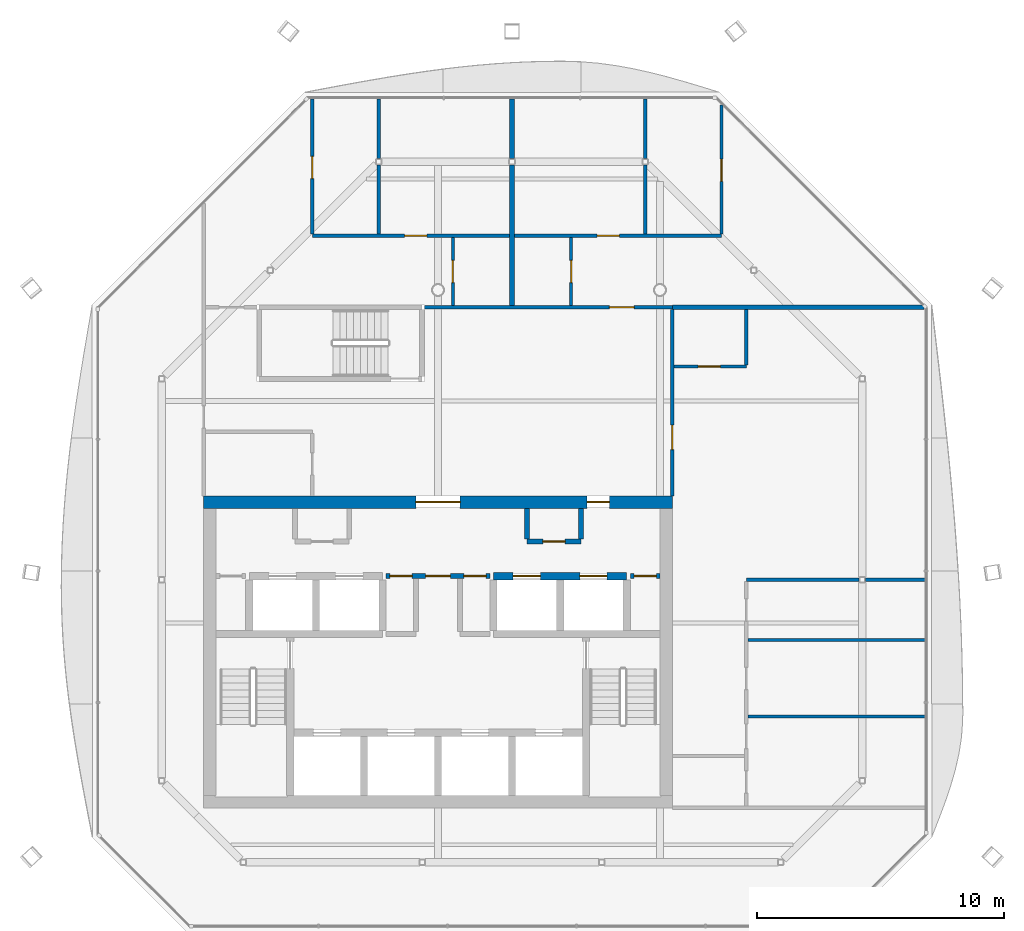
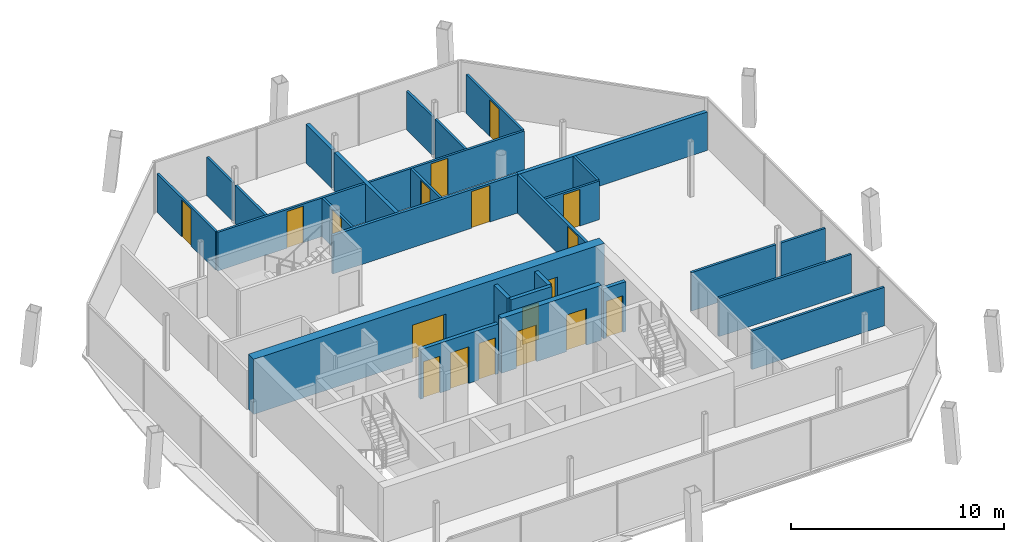
# One storey, part 11 of 16: 27 walls, 18 doors, 18 openings.
"""IFC4 building model written with IfcOpenShell, lengths in metres."""

from ifc_helpers import new_model, si_unit, direction, frame, frame_2d, origin, place, context, subcontext, project, spatial, rectangle, extrude, material, layer, layer_set, type_object, element, fill, save


model = new_model("IFC4")

# Units and contexts
model_context = context("Model", 3, precision=1e-05, world=origin(), true_north=direction((0.0, 1.0)))
body_context = subcontext(model_context, "Body", "Model", "MODEL_VIEW")
ifc_project = project(units=[si_unit("LENGTHUNIT", "METRE"), si_unit("AREAUNIT", "SQUARE_METRE"), si_unit("VOLUMEUNIT", "CUBIC_METRE"), si_unit("PLANEANGLEUNIT", "RADIAN"), si_unit("MASSUNIT", "GRAM", prefix="KILO")], contexts=[model_context])

# Site, building, storey
site_placement = place(None, origin())
site = spatial("IfcSite", under=ifc_project, at=site_placement, CompositionType="ELEMENT")
building_placement = place(site_placement, origin())
building = spatial("IfcBuilding", under=site, at=building_placement, Name="Tskaro Facet Tower", CompositionType="ELEMENT")
storey_placement = place(building_placement, frame((0.0, 0.0, 265.800048828125)))
storey = spatial("IfcBuildingStorey", under=building, at=storey_placement, Name="L70", CompositionType="ELEMENT", Elevation=265.800048828125)

# Wall, openings, doors
ifc_material_1 = material(Name="Concrete C60/75", Category="concrete")
ifc_layer_1 = layer(ifc_material_1, 0.300048828125, Name="Concrete C60/75")
ifc_layer_set_1 = layer_set([ifc_layer_1], Name="Concrete C60/75")
wall_type_1 = type_object("IfcWallType", Name="CORE-SHAFT", PredefinedType="SHEAR", material=ifc_layer_set_1)
wall_1_placement = place(storey_placement, frame((2.25, -2.60009765625, 0.0), z_axis=(0.0, 0.0, 1.0), x_axis=(1.0, 0.0, 0.0)))
wall_1 = element("IfcWall", 1, at=wall_1_placement, inside=storey, type_object=wall_type_1, Name="Shaft wall W015", PredefinedType="SHEAR", context=body_context, shape_type="SweptSolid", body=[
    extrude(rectangle(XDim=5.39990234375, YDim=0.300048828125, at=frame_2d((2.699951171875, 0.0))), origin(), (0.0, 0.0, 1.0), 3.14990234375),
])
opening_1_placement = place(wall_1_placement, frame((0.800048828125, 0.0, 0.0)))
opening_1 = element("IfcOpeningElement", 2, at=opening_1_placement, cuts=wall_1, Name="Opening LD-HB3", PredefinedType="OPENING", context=body_context, shape_type="SweptSolid", body=[
    extrude(rectangle(XDim=1.10009765625, YDim=2.10009765625, at=frame_2d((0.550048828125, 1.050048828125))), frame((0.0, 0.159912109375, 0.0), z_axis=(0.0, -1.0, 0.0), x_axis=(1.0, 0.0, 0.0)), (0.0, 0.0, 1.0), 0.320068359375),
])
opening_2_placement = place(wall_1_placement, frame((3.5, 0.0, 0.0)))
opening_2 = element("IfcOpeningElement", 3, at=opening_2_placement, cuts=wall_1, Name="Opening LD-HB4", PredefinedType="OPENING", context=body_context, shape_type="SweptSolid", body=[
    extrude(rectangle(XDim=1.10009765625, YDim=2.10009765625, at=frame_2d((0.550048828125, 1.050048828125))), frame((0.0, 0.159912109375, 0.0), z_axis=(0.0, -1.0, 0.0), x_axis=(1.0, 0.0, 0.0)), (0.0, 0.0, 1.0), 0.320068359375),
])
ifc_material_2 = material(Name="Stainless steel", Category="steel")
door_type_1 = type_object("IfcDoorType", Name="D-LANDING", OperationType="NOTDEFINED", PredefinedType="DOOR", material=ifc_material_2)
door_1_placement = place(opening_1_placement, origin())
door_1 = element("IfcDoor", 4, at=door_1_placement, inside=storey, type_object=door_type_1, Name="Landing door HB3", OperationType="DOUBLE_DOOR_SLIDING", OverallHeight=2.10009765625, OverallWidth=1.10009765625, PredefinedType="DOOR", context=body_context, shape_type="SweptSolid", body=[
    extrude(rectangle(XDim=1.10009765625, YDim=2.10009765625, at=frame_2d((0.550048828125, 1.050048828125))), frame((0.0, 0.02490234375, 0.0), z_axis=(0.0, -1.0, 0.0), x_axis=(1.0, 0.0, 0.0)), (0.0, 0.0, 1.0), 0.050048828125),
])
fill(opening_1, door_1)
door_2_placement = place(opening_2_placement, origin())
door_2 = element("IfcDoor", 5, at=door_2_placement, inside=storey, type_object=door_type_1, Name="Landing door HB4", OperationType="DOUBLE_DOOR_SLIDING", OverallHeight=2.10009765625, OverallWidth=1.10009765625, PredefinedType="DOOR", context=body_context, shape_type="SweptSolid", body=[
    extrude(rectangle(XDim=1.10009765625, YDim=2.10009765625, at=frame_2d((0.550048828125, 1.050048828125))), frame((0.0, 0.02490234375, 0.0), z_axis=(0.0, -1.0, 0.0), x_axis=(1.0, 0.0, 0.0)), (0.0, 0.0, 1.0), 0.050048828125),
])
fill(opening_2, door_2)

ifc_material_3 = material(Name="Concrete C20/25", Category="concrete")
ifc_layer_2 = layer(ifc_material_3, 0.199951171875, Name="Concrete C20/25")
ifc_layer_set_2 = layer_set([ifc_layer_2], Name="Concrete C20/25")
wall_type_2 = type_object("IfcWallType", Name="CORE-WALL", PredefinedType="SOLIDWALL", material=ifc_layer_set_2)
wall_2_placement = place(storey_placement, frame((2.10009765625, -2.60009765625, 0.0), z_axis=(0.0, 0.0, 1.0), x_axis=(-1.0, 0.0, 0.0)))
wall_2 = element("IfcWall", 6, at=wall_2_placement, inside=storey, type_object=wall_type_2, Name="Core room wall W014", PredefinedType="SOLIDWALL", context=body_context, shape_type="SweptSolid", body=[
    extrude(rectangle(XDim=4.2001953125, YDim=0.199951171875, at=frame_2d((2.10009765625, 0.0))), origin(), (0.0, 0.0, 1.0), 2.849853515625),
])
opening_3_placement = place(wall_2_placement, frame((1.60009765625, 0.0, 0.0)))
opening_3 = element("IfcOpeningElement", 7, at=opening_3_placement, cuts=wall_2, Name="Opening FL-D1", PredefinedType="OPENING", context=body_context, shape_type="SweptSolid", body=[
    extrude(rectangle(XDim=1.0, YDim=2.10009765625, at=frame_2d((0.5, 1.050048828125))), frame((0.0, 0.10986328125, 0.0), z_axis=(0.0, -1.0, 0.0), x_axis=(1.0, 0.0, 0.0)), (0.0, 0.0, 1.0), 0.219970703125),
])
opening_4_placement = place(wall_2_placement, frame((3.14990234375, 0.0, 0.0)))
opening_4 = element("IfcOpeningElement", 8, at=opening_4_placement, cuts=wall_2, Name="Opening T20-D06", PredefinedType="OPENING", context=body_context, shape_type="SweptSolid", body=[
    extrude(rectangle(XDim=0.89990234375, YDim=2.10009765625, at=frame_2d((0.449951171875, 1.050048828125))), frame((0.0, 0.10986328125, 0.0), z_axis=(0.0, -1.0, 0.0), x_axis=(1.0, 0.0, 0.0)), (0.0, 0.0, 1.0), 0.219970703125),
])
opening_5_placement = place(wall_2_placement, frame((0.14990234375, 0.0, 0.0)))
opening_5 = element("IfcOpeningElement", 9, at=opening_5_placement, cuts=wall_2, Name="Opening T20-D07", PredefinedType="OPENING", context=body_context, shape_type="SweptSolid", body=[
    extrude(rectangle(XDim=0.89990234375, YDim=2.10009765625, at=frame_2d((0.449951171875, 1.050048828125))), frame((0.0, 0.10986328125, 0.0), z_axis=(0.0, -1.0, 0.0), x_axis=(1.0, 0.0, 0.0)), (0.0, 0.0, 1.0), 0.219970703125),
])
ifc_material_4 = material(Name="Steel", Category="steel")
door_type_2 = type_object("IfcDoorType", Name="D-LOBBY", OperationType="NOTDEFINED", PredefinedType="DOOR", material=ifc_material_4)
door_3_placement = place(opening_3_placement, origin())
door_3 = element("IfcDoor", 10, at=door_3_placement, inside=storey, type_object=door_type_2, Name="Lobby door FL", OperationType="SINGLE_SWING_RIGHT", OverallHeight=2.10009765625, OverallWidth=1.0, PredefinedType="DOOR", context=body_context, shape_type="SweptSolid", body=[
    extrude(rectangle(XDim=1.0, YDim=2.10009765625, at=frame_2d((0.5, 1.050048828125))), frame((0.0, 0.02490234375, 0.0), z_axis=(0.0, -1.0, 0.0), x_axis=(1.0, 0.0, 0.0)), (0.0, 0.0, 1.0), 0.050048828125),
])
fill(opening_3, door_3)
ifc_material_5 = material(Name="Timber", Category="wood")
door_type_3 = type_object("IfcDoorType", Name="D-ROOM", OperationType="NOTDEFINED", PredefinedType="DOOR", material=ifc_material_5)
door_4_placement = place(opening_4_placement, origin())
door_4 = element("IfcDoor", 11, at=door_4_placement, inside=storey, type_object=door_type_3, Name="Door T20-D06", OperationType="SINGLE_SWING_RIGHT", OverallHeight=2.10009765625, OverallWidth=0.89990234375, PredefinedType="DOOR", context=body_context, shape_type="SweptSolid", body=[
    extrude(rectangle(XDim=0.89990234375, YDim=2.10009765625, at=frame_2d((0.449951171875, 1.050048828125))), frame((0.0, 0.02490234375, 0.0), z_axis=(0.0, -1.0, 0.0), x_axis=(1.0, 0.0, 0.0)), (0.0, 0.0, 1.0), 0.050048828125),
])
fill(opening_4, door_4)
door_5_placement = place(opening_5_placement, origin())
door_5 = element("IfcDoor", 12, at=door_5_placement, inside=storey, type_object=door_type_3, Name="Door T20-D07", OperationType="SINGLE_SWING_RIGHT", OverallHeight=2.10009765625, OverallWidth=0.89990234375, PredefinedType="DOOR", context=body_context, shape_type="SweptSolid", body=[
    extrude(rectangle(XDim=0.89990234375, YDim=2.10009765625, at=frame_2d((0.449951171875, 1.050048828125))), frame((0.0, 0.02490234375, 0.0), z_axis=(0.0, -1.0, 0.0), x_axis=(1.0, 0.0, 0.0)), (0.0, 0.0, 1.0), 0.050048828125),
])
fill(opening_5, door_5)

# Wall, opening, door
wall_3_placement = place(storey_placement, frame((9.0, -2.60009765625, 0.0), z_axis=(0.0, 0.0, 1.0), x_axis=(-1.0, 0.0, 0.0)))
wall_3 = element("IfcWall", 13, at=wall_3_placement, inside=storey, type_object=wall_type_2, Name="Core room wall W016", PredefinedType="SOLIDWALL", context=body_context, shape_type="SweptSolid", body=[
    extrude(rectangle(XDim=1.199951171875, YDim=0.199951171875, at=frame_2d((0.60009765625, 0.0))), origin(), (0.0, 0.0, 1.0), 2.849853515625),
])
opening_6_placement = place(wall_3_placement, frame((0.14990234375, 0.0, 0.0)))
opening_6 = element("IfcOpeningElement", 14, at=opening_6_placement, cuts=wall_3, Name="Opening T20-D08", PredefinedType="OPENING", context=body_context, shape_type="SweptSolid", body=[
    extrude(rectangle(XDim=0.89990234375, YDim=2.10009765625, at=frame_2d((0.449951171875, 1.050048828125))), frame((0.0, 0.10986328125, 0.0), z_axis=(0.0, -1.0, 0.0), x_axis=(1.0, 0.0, 0.0)), (0.0, 0.0, 1.0), 0.219970703125),
])
door_6_placement = place(opening_6_placement, origin())
door_6 = element("IfcDoor", 15, at=door_6_placement, inside=storey, type_object=door_type_3, Name="Door T20-D08", OperationType="SINGLE_SWING_RIGHT", OverallHeight=2.10009765625, OverallWidth=0.89990234375, PredefinedType="DOOR", context=body_context, shape_type="SweptSolid", body=[
    extrude(rectangle(XDim=0.89990234375, YDim=2.10009765625, at=frame_2d((0.449951171875, 1.050048828125))), frame((0.0, 0.02490234375, 0.0), z_axis=(0.0, -1.0, 0.0), x_axis=(1.0, 0.0, 0.0)), (0.0, 0.0, 1.0), 0.050048828125),
])
fill(opening_6, door_6)

wall_4_placement = place(storey_placement, frame((3.60009765625, -1.199951171875, 0.0), z_axis=(0.0, 0.0, 1.0), x_axis=(1.0, 0.0, 0.0)))
wall_4 = element("IfcWall", 16, at=wall_4_placement, inside=storey, type_object=wall_type_2, Name="Core room wall W018", PredefinedType="SOLIDWALL", context=body_context, shape_type="SweptSolid", body=[
    extrude(rectangle(XDim=2.199951171875, YDim=0.199951171875, at=frame_2d((1.10009765625, 0.0))), origin(), (0.0, 0.0, 1.0), 2.849853515625),
])
opening_7_placement = place(wall_4_placement, frame((0.64990234375, 0.0, 0.0)))
opening_7 = element("IfcOpeningElement", 17, at=opening_7_placement, cuts=wall_4, Name="Opening T20-D10", PredefinedType="OPENING", context=body_context, shape_type="SweptSolid", body=[
    extrude(rectangle(XDim=0.89990234375, YDim=2.10009765625, at=frame_2d((0.449951171875, 1.050048828125))), frame((0.0, 0.10986328125, 0.0), z_axis=(0.0, -1.0, 0.0), x_axis=(1.0, 0.0, 0.0)), (0.0, 0.0, 1.0), 0.219970703125),
])
door_7_placement = place(opening_7_placement, origin())
door_7 = element("IfcDoor", 18, at=door_7_placement, inside=storey, type_object=door_type_3, Name="Door T20-D10", OperationType="SINGLE_SWING_LEFT", OverallHeight=2.10009765625, OverallWidth=0.89990234375, PredefinedType="DOOR", context=body_context, shape_type="SweptSolid", body=[
    extrude(rectangle(XDim=0.89990234375, YDim=2.10009765625, at=frame_2d((0.449951171875, 1.050048828125))), frame((0.0, 0.02490234375, 0.0), z_axis=(0.0, -1.0, 0.0), x_axis=(1.0, 0.0, 0.0)), (0.0, 0.0, 1.0), 0.050048828125),
])
fill(opening_7, door_7)

# Walls
for number, where, z_axis, x_axis, name in (
    (19, (3.60009765625, -1.10009765625, 0.0), (0.0, 0.0, 1.0), (0.0, 1.0, 0.0), "Core room wall W049"),
    (20, (5.800048828125, -1.10009765625, 0.0), (0.0, 0.0, 1.0), (0.0, 1.0, 0.0), "Core room wall W052"),
):
    element("IfcWall", number, at=place(storey_placement, frame(where, z_axis=z_axis, x_axis=x_axis)), inside=storey, type_object=wall_type_2, Name=name, PredefinedType="SOLIDWALL", context=body_context, shape_type="SweptSolid", body=[
        extrude(rectangle(XDim=1.25, YDim=0.199951171875, at=frame_2d((0.625, 0.0))), origin(), (0.0, 0.0, 1.0), 2.849853515625),
    ])

# Wall, openings, doors
ifc_material_6 = material(Name="Concrete C40/50", Category="concrete")
ifc_layer_3 = layer(ifc_material_6, 0.5, Name="Concrete C40/50")
ifc_layer_set_3 = layer_set([ifc_layer_3], Name="Concrete C40/50")
wall_type_3 = type_object("IfcWallType", Name="Core wall 500", PredefinedType="SHEAR", material=ifc_layer_set_3)
wall_5_placement = place(storey_placement, frame((-9.5, 0.39990234375, 0.0), z_axis=(0.0, 0.0, 1.0), x_axis=(1.0, 0.0, 0.0)))
wall_5 = element("IfcWall", 21, at=wall_5_placement, inside=storey, type_object=wall_type_3, Name="Core wall CW-Z3N", PredefinedType="SHEAR", context=body_context, shape_type="SweptSolid", body=[
    extrude(rectangle(XDim=19.0, YDim=0.5, at=frame_2d((9.5, 0.0))), origin(), (0.0, 0.0, 1.0), 3.14990234375),
])
opening_8_placement = place(wall_5_placement, frame((8.60009765625, 0.0, 0.0)))
opening_8 = element("IfcOpeningElement", 22, at=opening_8_placement, cuts=wall_5, Name="Opening T20-D11", PredefinedType="OPENING", context=body_context, shape_type="SweptSolid", body=[
    extrude(rectangle(XDim=1.800048828125, YDim=2.10009765625, at=frame_2d((0.89990234375, 1.050048828125))), frame((0.0, 0.260009765625, 0.0), z_axis=(0.0, -1.0, 0.0), x_axis=(1.0, 0.0, 0.0)), (0.0, 0.0, 1.0), 0.52001953125),
])
opening_9_placement = place(wall_5_placement, frame((15.550048828125, 0.0, 0.0)))
opening_9 = element("IfcOpeningElement", 23, at=opening_9_placement, cuts=wall_5, Name="Opening T20-D12", PredefinedType="OPENING", context=body_context, shape_type="SweptSolid", body=[
    extrude(rectangle(XDim=0.89990234375, YDim=2.10009765625, at=frame_2d((0.449951171875, 1.050048828125))), frame((0.0, 0.260009765625, 0.0), z_axis=(0.0, -1.0, 0.0), x_axis=(1.0, 0.0, 0.0)), (0.0, 0.0, 1.0), 0.52001953125),
])
door_type_4 = type_object("IfcDoorType", Name="D-CORE-PAIR", OperationType="NOTDEFINED", PredefinedType="DOOR", material=ifc_material_4)
door_8_placement = place(opening_8_placement, origin())
door_8 = element("IfcDoor", 24, at=door_8_placement, inside=storey, type_object=door_type_4, Name="Door T20-D11", OperationType="DOUBLE_DOOR_SINGLE_SWING", OverallHeight=2.10009765625, OverallWidth=1.800048828125, PredefinedType="DOOR", context=body_context, shape_type="SweptSolid", body=[
    extrude(rectangle(XDim=1.800048828125, YDim=2.10009765625, at=frame_2d((0.89990234375, 1.050048828125))), frame((0.0, 0.02490234375, 0.0), z_axis=(0.0, -1.0, 0.0), x_axis=(1.0, 0.0, 0.0)), (0.0, 0.0, 1.0), 0.050048828125),
])
fill(opening_8, door_8)
door_9_placement = place(opening_9_placement, origin())
door_9 = element("IfcDoor", 25, at=door_9_placement, inside=storey, type_object=door_type_3, Name="Door T20-D12", OperationType="SINGLE_SWING_LEFT", OverallHeight=2.10009765625, OverallWidth=0.89990234375, PredefinedType="DOOR", context=body_context, shape_type="SweptSolid", body=[
    extrude(rectangle(XDim=0.89990234375, YDim=2.10009765625, at=frame_2d((0.449951171875, 1.050048828125))), frame((0.0, 0.02490234375, 0.0), z_axis=(0.0, -1.0, 0.0), x_axis=(1.0, 0.0, 0.0)), (0.0, 0.0, 1.0), 0.050048828125),
])
fill(opening_9, door_9)

# Walls
ifc_material_7 = material(Name="Gypsum board on steel studs", Category="steel")
ifc_layer_4 = layer(ifc_material_7, 0.125, Name="Gypsum board on steel studs")
ifc_layer_set_4 = layer_set([ifc_layer_4], Name="Gypsum board on steel studs")
wall_type_4 = type_object("IfcWallType", Name="PART", PredefinedType="PARTITIONING", material=ifc_layer_set_4)
for number, where, z_axis, x_axis, name in (
    (26, (12.5625, -8.300048828125, 0.0), (0.0, 0.0, 1.0), (1.0, 0.0, 0.0), "Partition W004"),
    (27, (12.5625, -5.199951171875, 0.0), (0.0, 0.0, 1.0), (1.0, 0.0, 0.0), "Partition W005"),
):
    element("IfcWall", number, at=place(storey_placement, frame(where, z_axis=z_axis, x_axis=x_axis)), inside=storey, type_object=wall_type_4, Name=name, PredefinedType="PARTITIONING", context=body_context, shape_type="SweptSolid", body=[
        extrude(rectangle(XDim=7.180419921875, YDim=0.125, at=frame_2d((3.59033203125, 0.0))), origin(), (0.0, 0.0, 1.0), 2.2099609375),
    ])
wall_6_placement = place(storey_placement, frame((12.5, -2.75, 0.0), z_axis=(0.0, 0.0, 1.0), x_axis=(1.0, 0.0, 0.0)))
element("IfcWall", 28, at=wall_6_placement, inside=storey, type_object=wall_type_4, Name="Partition W010", PredefinedType="PARTITIONING", context=body_context, shape_type="SweptSolid", body=[
    extrude(rectangle(XDim=4.574951171875, YDim=0.125, at=frame_2d((2.28759765625, 0.0))), origin(), (0.0, 0.0, 1.0), 2.2099609375),
])
wall_7_placement = place(storey_placement, frame((17.324951171875, -2.75, 0.0), z_axis=(0.0, 0.0, 1.0), x_axis=(1.0, 0.0, 0.0)))
element("IfcWall", 29, at=wall_7_placement, inside=storey, type_object=wall_type_4, Name="Partition W011", PredefinedType="PARTITIONING", context=body_context, shape_type="SweptSolid", body=[
    extrude(rectangle(XDim=2.41796875, YDim=0.125, at=frame_2d((1.208984375, 0.0))), origin(), (0.0, 0.0, 1.0), 2.2099609375),
])

# Wall, opening, door
wall_8_placement = place(storey_placement, frame((9.574951171875, 5.89990234375, 0.0), z_axis=(0.0, 0.0, 1.0), x_axis=(1.0, 0.0, 0.0)))
wall_8 = element("IfcWall", 30, at=wall_8_placement, inside=storey, type_object=wall_type_4, Name="Partition W021", PredefinedType="PARTITIONING", context=body_context, shape_type="SweptSolid", body=[
    extrude(rectangle(XDim=2.925048828125, YDim=0.125, at=frame_2d((1.46240234375, 0.0))), origin(), (0.0, 0.0, 1.0), 2.2099609375),
])
opening_10_placement = place(wall_8_placement, frame((0.97509765625, 0.0, 0.0)))
opening_10 = element("IfcOpeningElement", 31, at=opening_10_placement, cuts=wall_8, Name="Opening T20-D16", PredefinedType="OPENING", context=body_context, shape_type="SweptSolid", body=[
    extrude(rectangle(XDim=0.89990234375, YDim=2.10009765625, at=frame_2d((0.449951171875, 1.050048828125))), frame((0.0, 0.072509765625, 0.0), z_axis=(0.0, -1.0, 0.0), x_axis=(1.0, 0.0, 0.0)), (0.0, 0.0, 1.0), 0.14501953125),
])
door_10_placement = place(opening_10_placement, origin())
door_10 = element("IfcDoor", 32, at=door_10_placement, inside=storey, type_object=door_type_3, Name="Door T20-D16", OperationType="SINGLE_SWING_LEFT", OverallHeight=2.10009765625, OverallWidth=0.89990234375, PredefinedType="DOOR", context=body_context, shape_type="SweptSolid", body=[
    extrude(rectangle(XDim=0.89990234375, YDim=2.10009765625, at=frame_2d((0.449951171875, 1.050048828125))), frame((0.0, 0.02490234375, 0.0), z_axis=(0.0, -1.0, 0.0), x_axis=(1.0, 0.0, 0.0)), (0.0, 0.0, 1.0), 0.050048828125),
])
fill(opening_10, door_10)

# Wall, openings, doors
wall_9_placement = place(storey_placement, frame((-5.10009765625, 11.199951171875, 0.0), z_axis=(0.0, 0.0, 1.0), x_axis=(1.0, 0.0, 0.0)))
wall_9 = element("IfcWall", 33, at=wall_9_placement, inside=storey, type_object=wall_type_4, Name="Partition W026", PredefinedType="PARTITIONING", context=body_context, shape_type="SweptSolid", body=[
    extrude(rectangle(XDim=16.60009765625, YDim=0.125, at=frame_2d((8.300048828125, 0.0))), origin(), (0.0, 0.0, 1.0), 2.2099609375),
])
opening_11_placement = place(wall_9_placement, frame((3.74755859375, 0.0, 0.0)))
opening_11 = element("IfcOpeningElement", 34, at=opening_11_placement, cuts=wall_9, Name="Opening T20-D21", PredefinedType="OPENING", context=body_context, shape_type="SweptSolid", body=[
    extrude(rectangle(XDim=0.89990234375, YDim=2.10009765625, at=frame_2d((0.449951171875, 1.050048828125))), frame((0.0, 0.072509765625, 0.0), z_axis=(0.0, -1.0, 0.0), x_axis=(1.0, 0.0, 0.0)), (0.0, 0.0, 1.0), 0.14501953125),
])
opening_12_placement = place(wall_9_placement, frame((11.552490234375, 0.0, 0.0)))
opening_12 = element("IfcOpeningElement", 35, at=opening_12_placement, cuts=wall_9, Name="Opening T20-D22", PredefinedType="OPENING", context=body_context, shape_type="SweptSolid", body=[
    extrude(rectangle(XDim=0.89990234375, YDim=2.10009765625, at=frame_2d((0.449951171875, 1.050048828125))), frame((0.0, 0.072509765625, 0.0), z_axis=(0.0, -1.0, 0.0), x_axis=(1.0, 0.0, 0.0)), (0.0, 0.0, 1.0), 0.14501953125),
])
door_11_placement = place(opening_11_placement, origin())
door_11 = element("IfcDoor", 36, at=door_11_placement, inside=storey, type_object=door_type_3, Name="Door T20-D21", OperationType="SINGLE_SWING_LEFT", OverallHeight=2.10009765625, OverallWidth=0.89990234375, PredefinedType="DOOR", context=body_context, shape_type="SweptSolid", body=[
    extrude(rectangle(XDim=0.89990234375, YDim=2.10009765625, at=frame_2d((0.449951171875, 1.050048828125))), frame((0.0, 0.02490234375, 0.0), z_axis=(0.0, -1.0, 0.0), x_axis=(1.0, 0.0, 0.0)), (0.0, 0.0, 1.0), 0.050048828125),
])
fill(opening_11, door_11)
door_12_placement = place(opening_12_placement, origin())
door_12 = element("IfcDoor", 37, at=door_12_placement, inside=storey, type_object=door_type_3, Name="Door T20-D22", OperationType="SINGLE_SWING_LEFT", OverallHeight=2.10009765625, OverallWidth=0.89990234375, PredefinedType="DOOR", context=body_context, shape_type="SweptSolid", body=[
    extrude(rectangle(XDim=0.89990234375, YDim=2.10009765625, at=frame_2d((0.449951171875, 1.050048828125))), frame((0.0, 0.02490234375, 0.0), z_axis=(0.0, -1.0, 0.0), x_axis=(1.0, 0.0, 0.0)), (0.0, 0.0, 1.0), 0.050048828125),
])
fill(opening_12, door_12)

# Wall, opening, door
wall_10_placement = place(storey_placement, frame((-5.10009765625, 16.742919921875, 0.0), z_axis=(0.0, 0.0, 1.0), x_axis=(0.0, -1.0, 0.0)))
wall_10 = element("IfcWall", 38, at=wall_10_placement, inside=storey, type_object=wall_type_4, Name="Partition W033", PredefinedType="PARTITIONING", context=body_context, shape_type="SweptSolid", body=[
    extrude(rectangle(XDim=5.48046875, YDim=0.125, at=frame_2d((2.740234375, 0.0))), origin(), (0.0, 0.0, 1.0), 2.2099609375),
])
opening_13_placement = place(wall_10_placement, frame((2.321533203125, 0.0, 0.0)))
opening_13 = element("IfcOpeningElement", 39, at=opening_13_placement, cuts=wall_10, Name="Opening T20-D24", PredefinedType="OPENING", context=body_context, shape_type="SweptSolid", body=[
    extrude(rectangle(XDim=0.89990234375, YDim=2.10009765625, at=frame_2d((0.449951171875, 1.050048828125))), frame((0.0, 0.072509765625, 0.0), z_axis=(0.0, -1.0, 0.0), x_axis=(1.0, 0.0, 0.0)), (0.0, 0.0, 1.0), 0.14501953125),
])
door_13_placement = place(opening_13_placement, origin())
door_13 = element("IfcDoor", 40, at=door_13_placement, inside=storey, type_object=door_type_3, Name="Door T20-D24", OperationType="SINGLE_SWING_RIGHT", OverallHeight=2.10009765625, OverallWidth=0.89990234375, PredefinedType="DOOR", context=body_context, shape_type="SweptSolid", body=[
    extrude(rectangle(XDim=0.89990234375, YDim=2.10009765625, at=frame_2d((0.449951171875, 1.050048828125))), frame((0.0, 0.02490234375, 0.0), z_axis=(0.0, -1.0, 0.0), x_axis=(1.0, 0.0, 0.0)), (0.0, 0.0, 1.0), 0.050048828125),
])
fill(opening_13, door_13)

# Walls
wall_11_placement = place(storey_placement, frame((-2.405029296875, 11.262451171875, 0.0), z_axis=(0.0, 0.0, 1.0), x_axis=(0.0, 1.0, 0.0)))
element("IfcWall", 41, at=wall_11_placement, inside=storey, type_object=wall_type_4, Name="Partition W037", PredefinedType="PARTITIONING", context=body_context, shape_type="SweptSolid", body=[
    extrude(rectangle(XDim=2.8125, YDim=0.125, at=frame_2d((1.40625, 0.0))), origin(), (0.0, 0.0, 1.0), 2.2099609375),
])
wall_12_placement = place(storey_placement, frame((-2.405029296875, 14.324951171875, 0.0), z_axis=(0.0, 0.0, 1.0), x_axis=(0.0, 1.0, 0.0)))
element("IfcWall", 42, at=wall_12_placement, inside=storey, type_object=wall_type_4, Name="Partition W038", PredefinedType="PARTITIONING", context=body_context, shape_type="SweptSolid", body=[
    extrude(rectangle(XDim=2.41796875, YDim=0.125, at=frame_2d((1.208984375, 0.0))), origin(), (0.0, 0.0, 1.0), 2.2099609375),
])

# Wall, opening, door
wall_13_placement = place(storey_placement, frame((0.60009765625, 11.137451171875, 0.0), z_axis=(0.0, 0.0, 1.0), x_axis=(0.0, -1.0, 0.0)))
wall_13 = element("IfcWall", 43, at=wall_13_placement, inside=storey, type_object=wall_type_4, Name="Partition W043", PredefinedType="PARTITIONING", context=body_context, shape_type="SweptSolid", body=[
    extrude(rectangle(XDim=2.762451171875, YDim=0.125, at=frame_2d((1.38134765625, 0.0))), origin(), (0.0, 0.0, 1.0), 2.2099609375),
])
opening_14_placement = place(wall_13_placement, frame((0.9375, 0.0, 0.0)))
opening_14 = element("IfcOpeningElement", 44, at=opening_14_placement, cuts=wall_13, Name="Opening T20-D19", PredefinedType="OPENING", context=body_context, shape_type="SweptSolid", body=[
    extrude(rectangle(XDim=0.89990234375, YDim=2.10009765625, at=frame_2d((0.449951171875, 1.050048828125))), frame((0.0, 0.072509765625, 0.0), z_axis=(0.0, -1.0, 0.0), x_axis=(1.0, 0.0, 0.0)), (0.0, 0.0, 1.0), 0.14501953125),
])
door_14_placement = place(opening_14_placement, origin())
door_14 = element("IfcDoor", 45, at=door_14_placement, inside=storey, type_object=door_type_3, Name="Door T20-D19", OperationType="SINGLE_SWING_RIGHT", OverallHeight=2.10009765625, OverallWidth=0.89990234375, PredefinedType="DOOR", context=body_context, shape_type="SweptSolid", body=[
    extrude(rectangle(XDim=0.89990234375, YDim=2.10009765625, at=frame_2d((0.449951171875, 1.050048828125))), frame((0.0, 0.02490234375, 0.0), z_axis=(0.0, -1.0, 0.0), x_axis=(1.0, 0.0, 0.0)), (0.0, 0.0, 1.0), 0.050048828125),
])
fill(opening_14, door_14)

wall_14_placement = place(storey_placement, frame((5.39990234375, 8.375, 0.0), z_axis=(0.0, 0.0, 1.0), x_axis=(0.0, 1.0, 0.0)))
wall_14 = element("IfcWall", 46, at=wall_14_placement, inside=storey, type_object=wall_type_4, Name="Partition W051", PredefinedType="PARTITIONING", context=body_context, shape_type="SweptSolid", body=[
    extrude(rectangle(XDim=2.762451171875, YDim=0.125, at=frame_2d((1.38134765625, 0.0))), origin(), (0.0, 0.0, 1.0), 2.2099609375),
])
opening_15_placement = place(wall_14_placement, frame((0.925048828125, 0.0, 0.0)))
opening_15 = element("IfcOpeningElement", 47, at=opening_15_placement, cuts=wall_14, Name="Opening T20-D20", PredefinedType="OPENING", context=body_context, shape_type="SweptSolid", body=[
    extrude(rectangle(XDim=0.89990234375, YDim=2.10009765625, at=frame_2d((0.449951171875, 1.050048828125))), frame((0.0, 0.072509765625, 0.0), z_axis=(0.0, -1.0, 0.0), x_axis=(1.0, 0.0, 0.0)), (0.0, 0.0, 1.0), 0.14501953125),
])
door_15_placement = place(opening_15_placement, origin())
door_15 = element("IfcDoor", 48, at=door_15_placement, inside=storey, type_object=door_type_3, Name="Door T20-D20", OperationType="SINGLE_SWING_LEFT", OverallHeight=2.10009765625, OverallWidth=0.89990234375, PredefinedType="DOOR", context=body_context, shape_type="SweptSolid", body=[
    extrude(rectangle(XDim=0.89990234375, YDim=2.10009765625, at=frame_2d((0.449951171875, 1.050048828125))), frame((0.0, 0.02490234375, 0.0), z_axis=(0.0, -1.0, 0.0), x_axis=(1.0, 0.0, 0.0)), (0.0, 0.0, 1.0), 0.050048828125),
])
fill(opening_15, door_15)

# Walls
wall_15_placement = place(storey_placement, frame((8.405029296875, 11.262451171875, 0.0), z_axis=(0.0, 0.0, 1.0), x_axis=(0.0, 1.0, 0.0)))
element("IfcWall", 49, at=wall_15_placement, inside=storey, type_object=wall_type_4, Name="Partition W055", PredefinedType="PARTITIONING", context=body_context, shape_type="SweptSolid", body=[
    extrude(rectangle(XDim=2.8125, YDim=0.125, at=frame_2d((1.40625, 0.0))), origin(), (0.0, 0.0, 1.0), 2.2099609375),
])
wall_16_placement = place(storey_placement, frame((8.405029296875, 14.324951171875, 0.0), z_axis=(0.0, 0.0, 1.0), x_axis=(0.0, 1.0, 0.0)))
element("IfcWall", 50, at=wall_16_placement, inside=storey, type_object=wall_type_4, Name="Partition W056", PredefinedType="PARTITIONING", context=body_context, shape_type="SweptSolid", body=[
    extrude(rectangle(XDim=2.41796875, YDim=0.125, at=frame_2d((1.208984375, 0.0))), origin(), (0.0, 0.0, 1.0), 2.2099609375),
])

# Wall, opening, door
wall_17_placement = place(storey_placement, frame((11.5, 11.262451171875, 0.0), z_axis=(0.0, 0.0, 1.0), x_axis=(0.0, 1.0, 0.0)))
wall_17 = element("IfcWall", 51, at=wall_17_placement, inside=storey, type_object=wall_type_4, Name="Partition W058", PredefinedType="PARTITIONING", context=body_context, shape_type="SweptSolid", body=[
    extrude(rectangle(XDim=5.24755859375, YDim=0.125, at=frame_2d((2.623779296875, 0.0))), origin(), (0.0, 0.0, 1.0), 2.2099609375),
])
opening_16_placement = place(wall_17_placement, frame((2.142578125, 0.0, 0.0)))
opening_16 = element("IfcOpeningElement", 52, at=opening_16_placement, cuts=wall_17, Name="Opening T20-D23", PredefinedType="OPENING", context=body_context, shape_type="SweptSolid", body=[
    extrude(rectangle(XDim=0.89990234375, YDim=2.10009765625, at=frame_2d((0.449951171875, 1.050048828125))), frame((0.0, 0.072509765625, 0.0), z_axis=(0.0, -1.0, 0.0), x_axis=(1.0, 0.0, 0.0)), (0.0, 0.0, 1.0), 0.14501953125),
])
door_16_placement = place(opening_16_placement, origin())
door_16 = element("IfcDoor", 53, at=door_16_placement, inside=storey, type_object=door_type_3, Name="Door T20-D23", OperationType="SINGLE_SWING_LEFT", OverallHeight=2.10009765625, OverallWidth=0.89990234375, PredefinedType="DOOR", context=body_context, shape_type="SweptSolid", body=[
    extrude(rectangle(XDim=0.89990234375, YDim=2.10009765625, at=frame_2d((0.449951171875, 1.050048828125))), frame((0.0, 0.02490234375, 0.0), z_axis=(0.0, -1.0, 0.0), x_axis=(1.0, 0.0, 0.0)), (0.0, 0.0, 1.0), 0.050048828125),
])
fill(opening_16, door_16)

# Wall
wall_18_placement = place(storey_placement, frame((12.5, 5.96240234375, 0.0), z_axis=(0.0, 0.0, 1.0), x_axis=(0.0, 1.0, 0.0)))
element("IfcWall", 54, at=wall_18_placement, inside=storey, type_object=wall_type_4, Name="Partition W060", PredefinedType="PARTITIONING", context=body_context, shape_type="SweptSolid", body=[
    extrude(rectangle(XDim=2.237548828125, YDim=0.125, at=frame_2d((1.11865234375, 0.0))), origin(), (0.0, 0.0, 1.0), 2.2099609375),
])

# Wall, opening, door
ifc_layer_5 = layer(ifc_material_7, 0.14990234375, Name="Gypsum board on steel studs")
ifc_layer_set_5 = layer_set([ifc_layer_5], Name="Gypsum board on steel studs")
wall_type_5 = type_object("IfcWallType", Name="PART-CORR", PredefinedType="PARTITIONING", material=ifc_layer_set_5)
wall_19_placement = place(storey_placement, frame((-0.550048828125, 8.300048828125, 0.0), z_axis=(0.0, 0.0, 1.0), x_axis=(1.0, 0.0, 0.0)))
wall_19 = element("IfcWall", 55, at=wall_19_placement, inside=storey, type_object=wall_type_5, Name="Corridor wall W024", PredefinedType="PARTITIONING", context=body_context, shape_type="SweptSolid", body=[
    extrude(rectangle(XDim=10.050048828125, YDim=0.14990234375, at=frame_2d((5.02490234375, 0.0))), origin(), (0.0, 0.0, 1.0), 2.2099609375),
])
opening_17_placement = place(wall_19_placement, frame((7.5, 0.0, 0.0)))
opening_17 = element("IfcOpeningElement", 56, at=opening_17_placement, cuts=wall_19, Name="Opening T20-D18", PredefinedType="OPENING", context=body_context, shape_type="SweptSolid", body=[
    extrude(rectangle(XDim=1.0, YDim=2.10009765625, at=frame_2d((0.5, 1.050048828125))), frame((0.0, 0.0849609375, 0.0), z_axis=(0.0, -1.0, 0.0), x_axis=(1.0, 0.0, 0.0)), (0.0, 0.0, 1.0), 0.169921875),
])
door_type_5 = type_object("IfcDoorType", Name="D-FLAT-ENTRY", OperationType="NOTDEFINED", PredefinedType="DOOR", material=ifc_material_5)
door_17_placement = place(opening_17_placement, origin())
door_17 = element("IfcDoor", 57, at=door_17_placement, inside=storey, type_object=door_type_5, Name="Door T20-D18", OperationType="SINGLE_SWING_LEFT", OverallHeight=2.10009765625, OverallWidth=1.0, PredefinedType="DOOR", context=body_context, shape_type="SweptSolid", body=[
    extrude(rectangle(XDim=1.0, YDim=2.10009765625, at=frame_2d((0.5, 1.050048828125))), frame((0.0, 0.02490234375, 0.0), z_axis=(0.0, -1.0, 0.0), x_axis=(1.0, 0.0, 0.0)), (0.0, 0.0, 1.0), 0.050048828125),
])
fill(opening_17, door_17)

wall_20_placement = place(storey_placement, frame((9.5, 8.199951171875, 0.0), z_axis=(0.0, 0.0, 1.0), x_axis=(0.0, -1.0, 0.0)))
wall_20 = element("IfcWall", 58, at=wall_20_placement, inside=storey, type_object=wall_type_5, Name="Corridor wall W057", PredefinedType="PARTITIONING", context=body_context, shape_type="SweptSolid", body=[
    extrude(rectangle(XDim=7.550048828125, YDim=0.14990234375, at=frame_2d((3.77490234375, 0.0))), origin(), (0.0, 0.0, 1.0), 2.2099609375),
])
opening_18_placement = place(wall_20_placement, frame((4.675048828125, 0.0, 0.0)))
opening_18 = element("IfcOpeningElement", 59, at=opening_18_placement, cuts=wall_20, Name="Opening T20-D14", PredefinedType="OPENING", context=body_context, shape_type="SweptSolid", body=[
    extrude(rectangle(XDim=1.0, YDim=2.10009765625, at=frame_2d((0.5, 1.050048828125))), frame((0.0, 0.0849609375, 0.0), z_axis=(0.0, -1.0, 0.0), x_axis=(1.0, 0.0, 0.0)), (0.0, 0.0, 1.0), 0.169921875),
])
door_18_placement = place(opening_18_placement, origin())
door_18 = element("IfcDoor", 60, at=door_18_placement, inside=storey, type_object=door_type_5, Name="Door T20-D14", OperationType="SINGLE_SWING_LEFT", OverallHeight=2.10009765625, OverallWidth=1.0, PredefinedType="DOOR", context=body_context, shape_type="SweptSolid", body=[
    extrude(rectangle(XDim=1.0, YDim=2.10009765625, at=frame_2d((0.5, 1.050048828125))), frame((0.0, 0.02490234375, 0.0), z_axis=(0.0, -1.0, 0.0), x_axis=(1.0, 0.0, 0.0)), (0.0, 0.0, 1.0), 0.050048828125),
])
fill(opening_18, door_18)

# Walls
ifc_layer_6 = layer(ifc_material_7, 0.199951171875, Name="Gypsum board on steel studs")
ifc_layer_set_6 = layer_set([ifc_layer_6], Name="Gypsum board on steel studs")
wall_type_6 = type_object("IfcWallType", Name="PART-DEMISING", PredefinedType="PARTITIONING", material=ifc_layer_set_6)
wall_21_placement = place(storey_placement, frame((9.5, 8.300048828125, 0.0), z_axis=(0.0, 0.0, 1.0), x_axis=(1.0, 0.0, 0.0)))
element("IfcWall", 61, at=wall_21_placement, inside=storey, type_object=wall_type_6, Name="Guest room wall W025", PredefinedType="PARTITIONING", context=body_context, shape_type="SweptSolid", body=[
    extrude(rectangle(XDim=10.2099609375, YDim=0.199951171875, at=frame_2d((5.10498046875, 0.0))), origin(), (0.0, 0.0, 1.0), 2.2099609375),
])
wall_22_placement = place(storey_placement, frame((3.0, 8.375, 0.0), z_axis=(0.0, 0.0, 1.0), x_axis=(0.0, 1.0, 0.0)))
element("IfcWall", 62, at=wall_22_placement, inside=storey, type_object=wall_type_6, Name="Guest room wall W047", PredefinedType="PARTITIONING", context=body_context, shape_type="SweptSolid", body=[
    extrude(rectangle(XDim=5.699951171875, YDim=0.199951171875, at=frame_2d((2.85009765625, 0.0))), origin(), (0.0, 0.0, 1.0), 2.2099609375),
])
wall_23_placement = place(storey_placement, frame((3.0, 14.324951171875, 0.0), z_axis=(0.0, 0.0, 1.0), x_axis=(0.0, 1.0, 0.0)))
element("IfcWall", 63, at=wall_23_placement, inside=storey, type_object=wall_type_6, Name="Guest room wall W048", PredefinedType="PARTITIONING", context=body_context, shape_type="SweptSolid", body=[
    extrude(rectangle(XDim=2.41796875, YDim=0.199951171875, at=frame_2d((1.208984375, 0.0))), origin(), (0.0, 0.0, 1.0), 2.2099609375),
])

save(model, "model.ifc")
